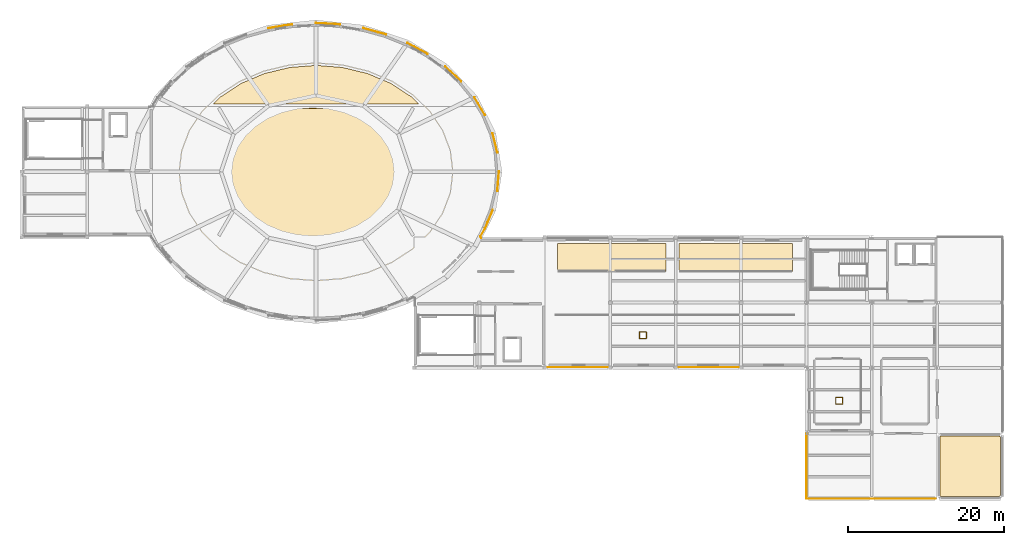
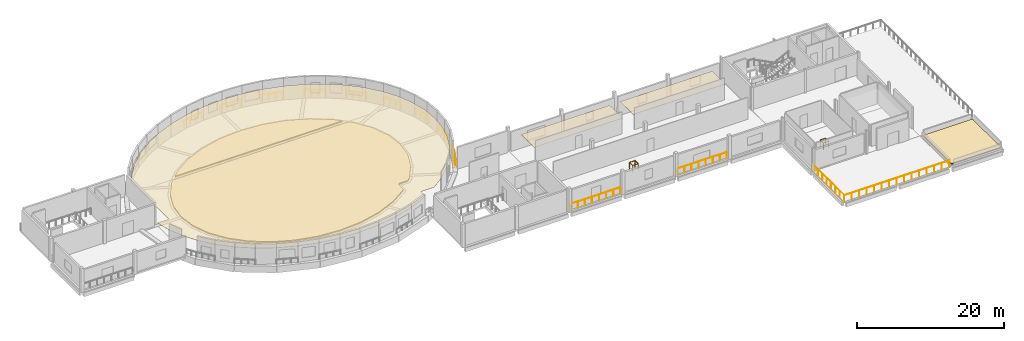
# One storey, part 14 of 16: 15 railings, 6 coverings.
"""IFC4 building model written with IfcOpenShell, lengths in metres."""

from ifc_helpers import new_model, si_unit, derived_unit, direction, frame, origin, origin_2d, place, context, subcontext, project, spatial, polyline, circle, outline, extrude, material, layer, layer_set, type_object, element, save


model = new_model("IFC4")

# Units and contexts
model_context = context("Model", 3, precision=1e-05, world=origin(), true_north=direction((0.0, 1.0)))
body_context = subcontext(model_context, "Body", "Model", "MODEL_VIEW")
ifc_project = project(units=[si_unit("LENGTHUNIT", "METRE"), si_unit("AREAUNIT", "SQUARE_METRE"), si_unit("VOLUMEUNIT", "CUBIC_METRE"), si_unit("PLANEANGLEUNIT", "RADIAN"), si_unit("MASSUNIT", "GRAM", prefix="KILO"), derived_unit("THERMALTRANSMITTANCEUNIT", [(si_unit("POWERUNIT", "WATT"), 1), (si_unit("LENGTHUNIT", "METRE"), -2), (si_unit("THERMODYNAMICTEMPERATUREUNIT", "KELVIN"), -1)])], contexts=[model_context])

# Site, building, storey
site_placement = place(None, origin())
site = spatial("IfcSite", under=ifc_project, at=site_placement, CompositionType="ELEMENT")
building_placement = place(site_placement, origin())
building = spatial("IfcBuilding", under=site, at=building_placement, Name="Elbkamm Science Centre", CompositionType="ELEMENT")
storey_placement = place(building_placement, frame((0.0, 0.0, 21.60009765625)))
storey = spatial("IfcBuildingStorey", under=building, at=storey_placement, Name="L05", CompositionType="ELEMENT", Elevation=21.60009765625)

# Coverings
ifc_material_1 = material(Name="Perforated acoustic mineral fibre ceiling tile")
ifc_layer_1 = layer(ifc_material_1, 0.0400390625)
ifc_layer_set_1 = layer_set([ifc_layer_1], Name="Perforated acoustic mineral fibre ceiling tile")
covering_type_1 = type_object("IfcCoveringType", Name="COV-CEIL-ACOUSTIC-40", PredefinedType="CEILING", material=ifc_layer_set_1)
covering_1_placement = place(storey_placement, frame((0.0, 0.0, 2.489990234375)))
element("IfcCovering", 1, at=covering_1_placement, inside=storey, type_object=covering_type_1, Name="L05 Astronomy Seminar Studio Acoustic Ceiling", PredefinedType="CEILING", context=body_context, shape_type="SweptSolid", body=[
    extrude(outline(polyline([(107.97998046875, 57.97998046875), (107.97998046875, 54.419921875), (94.02001953125, 54.419921875), (94.02001953125, 57.97998046875), (107.97998046875, 57.97998046875)])), origin(), (0.0, 0.0, 1.0), 0.039794921875),
])
ifc_material_2 = material(Name="Micro-perforated acoustic timber ceiling panel", Category="wood")
ifc_layer_2 = layer(ifc_material_2, 0.06005859375)
ifc_layer_set_2 = layer_set([ifc_layer_2], Name="Micro-perforated acoustic timber ceiling panel")
covering_type_2 = type_object("IfcCoveringType", Name="COV-CEIL-BAFFLE-60", PredefinedType="CEILING", material=ifc_layer_set_2)
covering_2_placement = place(storey_placement, frame((0.0, 0.0, 2.489990234375)))
element("IfcCovering", 2, at=covering_2_placement, inside=storey, type_object=covering_type_2, Name="L05 Sky Terrace Lounge Acoustic Ceiling", PredefinedType="CEILING", context=body_context, shape_type="SweptSolid", body=[
    extrude(outline(polyline([(124.179931640625, 57.97998046875), (124.179931640625, 54.419921875), (109.6201171875, 54.419921875), (109.6201171875, 57.97998046875), (124.179931640625, 57.97998046875)])), origin(), (0.0, 0.0, 1.0), 0.059814453125),
])
covering_3_placement = place(storey_placement, frame((0.0, 0.0, 2.489990234375)))
element("IfcCovering", 3, at=covering_3_placement, inside=storey, type_object=covering_type_2, Name="L05 Shell Ring Mezzanine Exhibition Gallery Acoustic Ceiling", PredefinedType="CEILING", context=body_context, shape_type="SweptSolid", body=[
    extrude(outline(polyline([(60.026123046875, 48.977294921875), (57.10302734375, 49.446533203125), (54.28125, 50.219482421875), (51.6083984375, 51.283203125), (49.130859375, 52.619384765625), (46.890625, 54.204833984375), (44.926025390625, 56.0126953125), (43.27099609375, 58.01171875), (41.953369140625, 60.167724609375), (40.995849609375, 62.444091796875), (40.469482421875, 64.580078125), (42.25, 64.580078125), (42.251953125, 64.580078125), (42.25390625, 64.580322265625), (42.255859375, 64.580810546875), (42.2578125, 64.58154296875), (42.259521484375, 64.58251953125), (42.260986328125, 64.58349609375), (42.2626953125, 64.58447265625), (42.26416015625, 64.5859375), (42.265380859375, 64.58740234375), (42.2666015625, 64.5888671875), (42.267578125, 64.590576171875), (42.2685546875, 64.59228515625), (42.26904296875, 64.59423828125), (42.26953125, 64.59619140625), (42.27001953125, 64.597900390625), (42.27001953125, 64.60009765625), (42.27001953125, 74.75048828125), (43.27099609375, 76.38818359375), (44.926025390625, 78.387451171875), (46.890625, 80.1953125), (49.130859375, 81.78076171875), (51.6083984375, 83.11669921875), (54.28125, 84.180419921875), (57.10302734375, 84.953369140625), (60.026123046875, 85.422607421875), (63.0, 85.580078125), (65.973876953125, 85.422607421875), (68.89697265625, 84.953369140625), (71.71875, 84.180419921875), (74.3916015625, 83.11669921875), (76.869140625, 81.78076171875), (79.109375, 80.1953125), (81.073974609375, 78.387451171875), (82.72900390625, 76.38818359375), (84.046630859375, 74.232421875), (85.004150390625, 71.9560546875), (85.585205078125, 69.598388671875), (85.77978515625, 67.199951171875), (85.585205078125, 64.801513671875), (85.004150390625, 62.444091796875), (84.046630859375, 60.167724609375), (82.72900390625, 58.01171875), (81.073974609375, 56.0126953125), (79.109375, 54.204833984375), (77.435302734375, 53.02001953125), (75.35009765625, 53.02001953125), (75.347900390625, 53.02001953125), (75.34619140625, 53.01953125), (75.34423828125, 53.01904296875), (75.34228515625, 53.0185546875), (75.340576171875, 53.017578125), (75.3388671875, 53.0166015625), (75.33740234375, 53.015380859375), (75.3359375, 53.01416015625), (75.33447265625, 53.0126953125), (75.33349609375, 53.010986328125), (75.33251953125, 53.009521484375), (75.33154296875, 53.0078125), (75.330810546875, 53.005859375), (75.330322265625, 53.00390625), (75.330078125, 53.001953125), (75.330078125, 53.0), (75.330078125, 51.789306640625), (74.3916015625, 51.283203125), (71.71875, 50.219482421875), (68.89697265625, 49.446533203125), (65.973876953125, 48.977294921875), (63.0, 48.820068359375), (60.026123046875, 48.977294921875)])), origin(), (0.0, 0.0, 1.0), 0.059814453125),
])
ifc_material_3 = material(Name="EPDM waterproof roofing membrane and mineral wool insulation")
ifc_layer_3 = layer(ifc_material_3, 0.179931640625)
ifc_layer_set_3 = layer_set([ifc_layer_3], Name="EPDM waterproof roofing membrane and mineral wool insulation")
covering_type_3 = type_object("IfcCoveringType", Name="COV-ROOFING-180", PredefinedType="ROOFING", material=ifc_layer_set_3)
covering_4_placement = place(storey_placement, origin())
element("IfcCovering", 4, at=covering_4_placement, inside=storey, type_object=covering_type_3, Name="L05 Insulated Roof Membrane Covering 17", PredefinedType="ROOFING", context=body_context, shape_type="SweptSolid", body=[
    extrude(outline(polyline([(75.2666015625, 57.632080078125), (75.26318359375, 57.61767578125), (75.258056640625, 57.603515625), (75.251708984375, 57.59033203125), (75.243896484375, 57.57763671875), (75.23486328125, 57.5654296875), (75.22509765625, 57.5546875), (75.2138671875, 57.544921875), (75.19580078125, 57.531982421875), (74.464599609375, 57.0546875), (72.638671875, 55.862548828125), (72.62158203125, 55.852294921875), (72.603759765625, 55.843994140625), (69.64794921875, 54.587158203125), (69.630615234375, 54.580810546875), (69.61328125, 54.57568359375), (66.8662109375, 53.912841796875), (66.39892578125, 53.800048828125), (66.381591796875, 53.796630859375), (66.36376953125, 53.79443359375), (63.017822265625, 53.532470703125), (63.0, 53.53173828125), (62.982177734375, 53.532470703125), (59.63623046875, 53.79443359375), (59.618408203125, 53.796630859375), (59.60107421875, 53.800048828125), (58.17041015625, 54.145263671875), (56.38671875, 54.57568359375), (56.369384765625, 54.580810546875), (56.35205078125, 54.587158203125), (53.396240234375, 55.843994140625), (53.37841796875, 55.852294921875), (53.361328125, 55.862548828125), (50.780029296875, 57.547607421875), (50.762451171875, 57.560302734375), (50.746337890625, 57.57470703125), (48.6376953125, 59.618408203125), (48.62158203125, 59.635498046875), (48.607666015625, 59.654296875), (48.141357421875, 60.34814453125), (47.048828125, 61.973876953125), (47.035888671875, 61.995849609375), (47.025390625, 62.01904296875), (46.526611328125, 63.326904296875), (46.070556640625, 64.523681640625), (46.062255859375, 64.549560546875), (46.057373046875, 64.575927734375), (45.896240234375, 65.877197265625), (45.735595703125, 67.17578125), (45.73388671875, 67.194091796875), (45.73388671875, 67.205810546875), (45.735595703125, 67.224365234375), (45.896484375, 68.5244140625), (46.057373046875, 69.823974609375), (46.062255859375, 69.850341796875), (46.070556640625, 69.876220703125), (47.025390625, 72.380859375), (47.035888671875, 72.404052734375), (47.048828125, 72.426025390625), (48.607666015625, 74.745849609375), (48.62158203125, 74.764404296875), (48.6376953125, 74.781494140625), (49.17236328125, 75.300048828125), (76.82763671875, 75.300048828125), (77.3623046875, 74.781494140625), (77.37841796875, 74.764404296875), (77.392333984375, 74.745849609375), (78.951171875, 72.426025390625), (78.964111328125, 72.404052734375), (78.974609375, 72.380859375), (79.481201171875, 71.052001953125), (79.929443359375, 69.876220703125), (79.937744140625, 69.850341796875), (79.942626953125, 69.823974609375), (80.264404296875, 67.224365234375), (80.26611328125, 67.205810546875), (80.26611328125, 67.194091796875), (80.264404296875, 67.17578125), (79.942626953125, 64.575927734375), (79.937744140625, 64.549560546875), (79.929443359375, 64.523681640625), (79.285888671875, 62.835693359375), (78.974609375, 62.01904296875), (78.964111328125, 61.995849609375), (78.951171875, 61.973876953125), (77.619384765625, 59.9921875), (77.392333984375, 59.654296875), (77.37841796875, 59.635498046875), (77.362548828125, 59.618408203125), (76.9072265625, 59.177490234375), (76.890869140625, 59.1630859375), (76.87939453125, 59.154541015625), (76.866943359375, 59.147216796875), (76.85400390625, 59.141357421875), (76.84033203125, 59.136474609375), (76.826416015625, 59.133056640625), (76.812255859375, 59.131103515625), (76.790283203125, 59.1298828125), (75.60009765625, 59.1298828125), (75.589599609375, 59.1298828125), (75.5869140625, 59.129638671875), (75.5478515625, 59.125732421875), (75.544921875, 59.125244140625), (75.521240234375, 59.120361328125), (75.5185546875, 59.11962890625), (75.490478515625, 59.111083984375), (75.487548828125, 59.110107421875), (75.462890625, 59.10009765625), (75.460205078125, 59.098876953125), (75.4287109375, 59.08203125), (75.426025390625, 59.080322265625), (75.405029296875, 59.066162109375), (75.402587890625, 59.064453125), (75.379150390625, 59.045166015625), (75.376953125, 59.043212890625), (75.356689453125, 59.02294921875), (75.354736328125, 59.020751953125), (75.33544921875, 58.997314453125), (75.333740234375, 58.9951171875), (75.319580078125, 58.973876953125), (75.318115234375, 58.97119140625), (75.301025390625, 58.939697265625), (75.2998046875, 58.937255859375), (75.289794921875, 58.912353515625), (75.288818359375, 58.90966796875), (75.2802734375, 58.881591796875), (75.279541015625, 58.878662109375), (75.274658203125, 58.855224609375), (75.274169921875, 58.852294921875), (75.270263671875, 58.813232421875), (75.270263671875, 58.810302734375), (75.27001953125, 58.800048828125), (75.27001953125, 57.6689453125), (75.268798828125, 57.646484375), (75.2666015625, 57.632080078125)])), origin(), (0.0, 0.0, 1.0), 0.179931640625),
])
covering_5_placement = place(storey_placement, origin())
element("IfcCovering", 5, at=covering_5_placement, inside=storey, type_object=covering_type_3, Name="L05 Insulated Roof Membrane Covering 18", PredefinedType="ROOFING", context=body_context, shape_type="SweptSolid", body=[
    extrude(outline(polyline([(50.746337890625, 76.825439453125), (50.762451171875, 76.839599609375), (50.780029296875, 76.852294921875), (53.361328125, 78.53759765625), (53.37841796875, 78.547607421875), (53.396240234375, 78.55615234375), (56.35205078125, 79.812744140625), (56.369384765625, 79.8193359375), (56.38671875, 79.82421875), (58.389892578125, 80.3076171875), (59.60107421875, 80.599853515625), (59.618408203125, 80.603515625), (59.63623046875, 80.60546875), (62.982177734375, 80.86767578125), (63.0, 80.868408203125), (63.017822265625, 80.86767578125), (66.36376953125, 80.60546875), (66.381591796875, 80.603515625), (66.39892578125, 80.599853515625), (67.768798828125, 80.269287109375), (69.61328125, 79.82421875), (69.630615234375, 79.8193359375), (69.64794921875, 79.812744140625), (71.198486328125, 79.153564453125), (72.603759765625, 78.55615234375), (72.62158203125, 78.547607421875), (72.638671875, 78.53759765625), (75.219970703125, 76.852294921875), (75.237548828125, 76.839599609375), (75.253662109375, 76.825439453125), (76.20849609375, 75.89990234375), (49.79150390625, 75.89990234375), (50.746337890625, 76.825439453125)])), origin(), (0.0, 0.0, 1.0), 0.179931640625),
])
covering_6_placement = place(storey_placement, origin())
element("IfcCovering", 6, at=covering_6_placement, inside=storey, type_object=covering_type_3, Name="L05 Insulated Roof Membrane Covering 19", PredefinedType="ROOFING", context=body_context, shape_type="SweptSolid", body=[
    extrude(outline(polyline([(143.250732421875, 25.503173828125), (143.23681640625, 25.506591796875), (143.22265625, 25.511962890625), (143.209228515625, 25.51806640625), (143.19677734375, 25.525634765625), (143.18505859375, 25.5341796875), (143.17431640625, 25.544189453125), (143.164306640625, 25.55517578125), (143.155517578125, 25.56689453125), (143.148193359375, 25.579345703125), (143.141845703125, 25.592529296875), (143.13671875, 25.60693359375), (143.13330078125, 25.620849609375), (143.131103515625, 25.63525390625), (143.1298828125, 25.657470703125), (143.1298828125, 33.112548828125), (143.131103515625, 33.134765625), (143.13330078125, 33.149169921875), (143.13671875, 33.1630859375), (143.141845703125, 33.177490234375), (143.148193359375, 33.190673828125), (143.155517578125, 33.203125), (143.164306640625, 33.21484375), (143.17431640625, 33.225830078125), (143.18505859375, 33.23583984375), (143.19677734375, 33.244384765625), (143.209228515625, 33.251953125), (143.22265625, 33.258056640625), (143.23681640625, 33.26318359375), (143.250732421875, 33.266845703125), (143.26513671875, 33.268798828125), (143.28759765625, 33.27001953125), (150.742431640625, 33.27001953125), (150.764892578125, 33.268798828125), (150.779296875, 33.266845703125), (150.793212890625, 33.26318359375), (150.807373046875, 33.258056640625), (150.82080078125, 33.251953125), (150.833251953125, 33.244384765625), (150.844970703125, 33.23583984375), (150.855712890625, 33.225830078125), (150.86572265625, 33.21484375), (150.87451171875, 33.203125), (150.8818359375, 33.190673828125), (150.88818359375, 33.177490234375), (150.893310546875, 33.1630859375), (150.896728515625, 33.149169921875), (150.89892578125, 33.134765625), (150.89990234375, 33.112548828125), (150.89990234375, 25.657470703125), (150.89892578125, 25.63525390625), (150.896728515625, 25.620849609375), (150.893310546875, 25.60693359375), (150.88818359375, 25.592529296875), (150.8818359375, 25.579345703125), (150.87451171875, 25.56689453125), (150.86572265625, 25.55517578125), (150.855712890625, 25.544189453125), (150.844970703125, 25.5341796875), (150.833251953125, 25.525634765625), (150.82080078125, 25.51806640625), (150.807373046875, 25.511962890625), (150.793212890625, 25.506591796875), (150.779296875, 25.503173828125), (150.764892578125, 25.501220703125), (150.742431640625, 25.5), (143.28759765625, 25.5), (143.26513671875, 25.501220703125), (143.250732421875, 25.503173828125)])), origin(), (0.0, 0.0, 1.0), 0.179931640625),
])

# Railings
ifc_material_4 = material(Name="Stainless steel EN 1.4401", Category="steel")
railing_type_1 = type_object("IfcRailingType", Name="RAIL-EXT-GUARD-1100", PredefinedType="GUARDRAIL", material=ifc_material_4)
railing_1_placement = place(storey_placement, frame((126.02490234375, 25.199951171875, 0.0)))
element("IfcRailing", 7, at=railing_1_placement, inside=storey, type_object=railing_type_1, Name="L05 Outdoor Terrace Perimeter Guard 009", PredefinedType="GUARDRAIL", context=body_context, shape_type="SweptSolid", body=[
    extrude(circle(Radius=0.02392578125, at=origin_2d()), frame((0.0, 0.0, 1.078125), z_axis=(0.0, 1.0, 0.0), x_axis=(-1.0, 0.0, 0.0)), (0.0, 0.0, 1.0), 8.320068359375),
    extrude(circle(Radius=0.02001953125, at=origin_2d()), origin(), (0.0, 0.0, 1.0), 1.048095703125),
    extrude(circle(Radius=0.02001953125, at=origin_2d()), frame((0.0, 1.1884765625, 0.0)), (0.0, 0.0, 1.0), 1.048095703125),
    extrude(circle(Radius=0.02001953125, at=origin_2d()), frame((0.0, 2.377197265625, 0.0)), (0.0, 0.0, 1.0), 1.048095703125),
    extrude(circle(Radius=0.02001953125, at=origin_2d()), frame((0.0, 3.565673828125, 0.0)), (0.0, 0.0, 1.0), 1.048095703125),
    extrude(circle(Radius=0.02001953125, at=origin_2d()), frame((0.0, 4.75439453125, 0.0)), (0.0, 0.0, 1.0), 1.048095703125),
    extrude(circle(Radius=0.02001953125, at=origin_2d()), frame((0.0, 5.94287109375, 0.0)), (0.0, 0.0, 1.0), 1.048095703125),
    extrude(circle(Radius=0.02001953125, at=origin_2d()), frame((0.0, 7.131591796875, 0.0)), (0.0, 0.0, 1.0), 1.048095703125),
    extrude(circle(Radius=0.02001953125, at=origin_2d()), frame((0.0, 8.320068359375, 0.0)), (0.0, 0.0, 1.0), 1.048095703125),
])
railing_2_placement = place(storey_placement, frame((142.5830078125, 25.199951171875, 0.0)))
element("IfcRailing", 8, at=railing_2_placement, inside=storey, type_object=railing_type_1, Name="L05 Outdoor Terrace Perimeter Guard 010", PredefinedType="GUARDRAIL", context=body_context, shape_type="SweptSolid", body=[
    extrude(circle(Radius=0.02392578125, at=origin_2d()), frame((0.0, 0.0, 1.078125), z_axis=(-1.0, 0.0, 0.0), x_axis=(0.0, -1.0, 0.0)), (0.0, 0.0, 1.0), 16.55810546875),
    extrude(circle(Radius=0.02001953125, at=origin_2d()), origin(), (0.0, 0.0, 1.0), 1.048095703125),
    extrude(circle(Radius=0.02001953125, at=origin_2d()), frame((-1.1826171875, 0.0, 0.0)), (0.0, 0.0, 1.0), 1.048095703125),
    extrude(circle(Radius=0.02001953125, at=origin_2d()), frame((-2.365478515625, 0.0, 0.0)), (0.0, 0.0, 1.0), 1.048095703125),
    extrude(circle(Radius=0.02001953125, at=origin_2d()), frame((-3.548095703125, 0.0, 0.0)), (0.0, 0.0, 1.0), 1.048095703125),
    extrude(circle(Radius=0.02001953125, at=origin_2d()), frame((-4.73095703125, 0.0, 0.0)), (0.0, 0.0, 1.0), 1.048095703125),
    extrude(circle(Radius=0.02001953125, at=origin_2d()), frame((-5.91357421875, 0.0, 0.0)), (0.0, 0.0, 1.0), 1.048095703125),
    extrude(circle(Radius=0.02001953125, at=origin_2d()), frame((-7.096435546875, 0.0, 0.0)), (0.0, 0.0, 1.0), 1.048095703125),
    extrude(circle(Radius=0.02001953125, at=origin_2d()), frame((-8.279052734375, 0.0, 0.0)), (0.0, 0.0, 1.0), 1.048095703125),
    extrude(circle(Radius=0.02001953125, at=origin_2d()), frame((-9.461669921875, 0.0, 0.0)), (0.0, 0.0, 1.0), 1.048095703125),
    extrude(circle(Radius=0.02001953125, at=origin_2d()), frame((-10.64453125, 0.0, 0.0)), (0.0, 0.0, 1.0), 1.048095703125),
    extrude(circle(Radius=0.02001953125, at=origin_2d()), frame((-11.8271484375, 0.0, 0.0)), (0.0, 0.0, 1.0), 1.048095703125),
    extrude(circle(Radius=0.02001953125, at=origin_2d()), frame((-13.010009765625, 0.0, 0.0)), (0.0, 0.0, 1.0), 1.048095703125),
    extrude(circle(Radius=0.02001953125, at=origin_2d()), frame((-14.192626953125, 0.0, 0.0)), (0.0, 0.0, 1.0), 1.048095703125),
    extrude(circle(Radius=0.02001953125, at=origin_2d()), frame((-15.37548828125, 0.0, 0.0)), (0.0, 0.0, 1.0), 1.048095703125),
    extrude(circle(Radius=0.02001953125, at=origin_2d()), frame((-16.55810546875, 0.0, 0.0)), (0.0, 0.0, 1.0), 1.048095703125),
])
railing_3_placement = place(storey_placement, frame((56.898681640625, 85.643798828125, 0.0)))
element("IfcRailing", 9, at=railing_3_placement, inside=storey, type_object=railing_type_1, Name="L05 Slab Edge Perimeter Guard 116", PredefinedType="GUARDRAIL", context=body_context, shape_type="SweptSolid", body=[
    extrude(circle(Radius=0.02392578125, at=origin_2d()), frame((0.0, 0.0, 1.078125), z_axis=(0.987150705453, 0.159792004569, 0.0), x_axis=(-0.159792004569, 0.987150705453, 0.0)), (0.0, 0.0, 1.0), 3.086181640625),
    extrude(circle(Radius=0.02001953125, at=origin_2d()), origin(), (0.0, 0.0, 1.0), 1.048095703125),
    extrude(circle(Radius=0.02001953125, at=origin_2d()), frame((1.015625, 0.164306640625, 0.0)), (0.0, 0.0, 1.0), 1.048095703125),
    extrude(circle(Radius=0.02001953125, at=origin_2d()), frame((2.031005859375, 0.328857421875, 0.0)), (0.0, 0.0, 1.0), 1.048095703125),
    extrude(circle(Radius=0.02001953125, at=origin_2d()), frame((3.046630859375, 0.4931640625, 0.0)), (0.0, 0.0, 1.0), 1.048095703125),
])
railing_4_placement = place(storey_placement, frame((62.985107421875, 86.299072265625, 0.0)))
element("IfcRailing", 10, at=railing_4_placement, inside=storey, type_object=railing_type_1, Name="L05 Slab Edge Perimeter Guard 117", PredefinedType="GUARDRAIL", context=body_context, shape_type="SweptSolid", body=[
    extrude(circle(Radius=0.02392578125, at=origin_2d()), frame((0.0, 0.0, 1.078125), z_axis=(0.998581083549, -0.053252413829, 0.0), x_axis=(0.053252413829, 0.998581083549, 0.0)), (0.0, 0.0, 1.0), 3.103759765625),
    extrude(circle(Radius=0.02001953125, at=origin_2d()), origin(), (0.0, 0.0, 1.0), 1.048095703125),
    extrude(circle(Radius=0.02001953125, at=origin_2d()), frame((1.033203125, -0.05517578125, 0.0)), (0.0, 0.0, 1.0), 1.048095703125),
    extrude(circle(Radius=0.02001953125, at=origin_2d()), frame((2.066162109375, -0.110107421875, 0.0)), (0.0, 0.0, 1.0), 1.048095703125),
    extrude(circle(Radius=0.02001953125, at=origin_2d()), frame((3.099365234375, -0.165283203125, 0.0)), (0.0, 0.0, 1.0), 1.048095703125),
])
railing_5_placement = place(storey_placement, frame((69.071533203125, 85.650390625, 0.0)))
element("IfcRailing", 11, at=railing_5_placement, inside=storey, type_object=railing_type_1, Name="L05 Slab Edge Perimeter Guard 118", PredefinedType="GUARDRAIL", context=body_context, shape_type="SweptSolid", body=[
    extrude(circle(Radius=0.02392578125, at=origin_2d()), frame((0.0, 0.0, 1.078125), z_axis=(0.963924713872, -0.266175028856, 0.0), x_axis=(0.266175028856, 0.963924713872, 0.0)), (0.0, 0.0, 1.0), 3.052490234375),
    extrude(circle(Radius=0.02001953125, at=origin_2d()), origin(), (0.0, 0.0, 1.0), 1.048095703125),
    extrude(circle(Radius=0.02001953125, at=origin_2d()), frame((0.980712890625, -0.270751953125, 0.0)), (0.0, 0.0, 1.0), 1.048095703125),
    extrude(circle(Radius=0.02001953125, at=origin_2d()), frame((1.961669921875, -0.541748046875, 0.0)), (0.0, 0.0, 1.0), 1.048095703125),
    extrude(circle(Radius=0.02001953125, at=origin_2d()), frame((2.9423828125, -0.8125, 0.0)), (0.0, 0.0, 1.0), 1.048095703125),
])
railing_6_placement = place(storey_placement, frame((74.7421875, 83.7431640625, 0.0)))
element("IfcRailing", 12, at=railing_6_placement, inside=storey, type_object=railing_type_1, Name="L05 Slab Edge Perimeter Guard 119", PredefinedType="GUARDRAIL", context=body_context, shape_type="SweptSolid", body=[
    extrude(circle(Radius=0.02392578125, at=origin_2d()), frame((0.0, 0.0, 1.078125), z_axis=(0.878535209689, -0.477677595599, 0.0), x_axis=(0.477677595599, 0.878535209689, 0.0)), (0.0, 0.0, 1.0), 2.94287109375),
    extrude(circle(Radius=0.02001953125, at=origin_2d()), origin(), (0.0, 0.0, 1.0), 1.048095703125),
    extrude(circle(Radius=0.02001953125, at=origin_2d()), frame((0.86181640625, -0.468505859375, 0.0)), (0.0, 0.0, 1.0), 1.048095703125),
    extrude(circle(Radius=0.02001953125, at=origin_2d()), frame((1.7236328125, -0.937255859375, 0.0)), (0.0, 0.0, 1.0), 1.048095703125),
    extrude(circle(Radius=0.02001953125, at=origin_2d()), frame((2.58544921875, -1.40576171875, 0.0)), (0.0, 0.0, 1.0), 1.048095703125),
])
railing_7_placement = place(storey_placement, frame((79.60986328125, 80.709228515625, 0.0)))
element("IfcRailing", 13, at=railing_7_placement, inside=storey, type_object=railing_type_1, Name="L05 Slab Edge Perimeter Guard 120", PredefinedType="GUARDRAIL", context=body_context, shape_type="SweptSolid", body=[
    extrude(circle(Radius=0.02392578125, at=origin_2d()), frame((0.0, 0.0, 1.078125), z_axis=(0.732992225606, -0.680237015459, 0.0), x_axis=(0.680237015459, 0.732992225606, 0.0)), (0.0, 0.0, 1.0), 2.7998046875),
    extrude(circle(Radius=0.02001953125, at=origin_2d()), origin(), (0.0, 0.0, 1.0), 1.048095703125),
    extrude(circle(Radius=0.02001953125, at=origin_2d()), frame((0.68408203125, -0.634765625, 0.0)), (0.0, 0.0, 1.0), 1.048095703125),
    extrude(circle(Radius=0.02001953125, at=origin_2d()), frame((1.3681640625, -1.269775390625, 0.0)), (0.0, 0.0, 1.0), 1.048095703125),
    extrude(circle(Radius=0.02001953125, at=origin_2d()), frame((2.05224609375, -1.904541015625, 0.0)), (0.0, 0.0, 1.0), 1.048095703125),
])
railing_8_placement = place(storey_placement, frame((83.34375, 76.757568359375, 0.0)))
element("IfcRailing", 14, at=railing_8_placement, inside=storey, type_object=railing_type_1, Name="L05 Slab Edge Perimeter Guard 121", PredefinedType="GUARDRAIL", context=body_context, shape_type="SweptSolid", body=[
    extrude(circle(Radius=0.02392578125, at=origin_2d()), frame((0.0, 0.0, 1.078125), z_axis=(0.518283409224, -0.855208926359, 0.0), x_axis=(0.855208926359, 0.518283409224, 0.0)), (0.0, 0.0, 1.0), 2.66015625),
    extrude(circle(Radius=0.02001953125, at=origin_2d()), origin(), (0.0, 0.0, 1.0), 1.048095703125),
    extrude(circle(Radius=0.02001953125, at=origin_2d()), frame((0.45947265625, -0.75830078125, 0.0)), (0.0, 0.0, 1.0), 1.048095703125),
    extrude(circle(Radius=0.02001953125, at=origin_2d()), frame((0.919189453125, -1.5166015625, 0.0)), (0.0, 0.0, 1.0), 1.048095703125),
    extrude(circle(Radius=0.02001953125, at=origin_2d()), frame((1.378662109375, -2.27490234375, 0.0)), (0.0, 0.0, 1.0), 1.048095703125),
])
railing_9_placement = place(storey_placement, frame((85.692138671875, 72.158203125, 0.0)))
element("IfcRailing", 15, at=railing_9_placement, inside=storey, type_object=railing_type_1, Name="L05 Slab Edge Perimeter Guard 122", PredefinedType="GUARDRAIL", context=body_context, shape_type="SweptSolid", body=[
    extrude(circle(Radius=0.02392578125, at=origin_2d()), frame((0.0, 0.0, 1.078125), z_axis=(0.237401172285, -0.97141169614, 0.0), x_axis=(0.97141169614, 0.237401172285, 0.0)), (0.0, 0.0, 1.0), 2.563720703125),
    extrude(circle(Radius=0.02001953125, at=origin_2d()), origin(), (0.0, 0.0, 1.0), 1.048095703125),
    extrude(circle(Radius=0.02001953125, at=origin_2d()), frame((0.202880859375, -0.830078125, 0.0)), (0.0, 0.0, 1.0), 1.048095703125),
    extrude(circle(Radius=0.02001953125, at=origin_2d()), frame((0.40576171875, -1.660400390625, 0.0)), (0.0, 0.0, 1.0), 1.048095703125),
    extrude(circle(Radius=0.02001953125, at=origin_2d()), frame((0.608642578125, -2.490478515625, 0.0)), (0.0, 0.0, 1.0), 1.048095703125),
])
railing_10_placement = place(storey_placement, frame((86.497802734375, 67.222412109375, 0.0)))
element("IfcRailing", 16, at=railing_10_placement, inside=storey, type_object=railing_type_1, Name="L05 Slab Edge Perimeter Guard 123", PredefinedType="GUARDRAIL", context=body_context, shape_type="SweptSolid", body=[
    extrude(circle(Radius=0.02392578125, at=origin_2d()), frame((0.0, 0.0, 1.078125), z_axis=(-0.080279548806, -0.996772388283, 0.0), x_axis=(0.996772388283, -0.080279548806, 0.0)), (0.0, 0.0, 1.0), 2.54248046875),
    extrude(circle(Radius=0.02001953125, at=origin_2d()), origin(), (0.0, 0.0, 1.0), 1.048095703125),
    extrude(circle(Radius=0.02001953125, at=origin_2d()), frame((-0.068115234375, -0.8447265625, 0.0)), (0.0, 0.0, 1.0), 1.048095703125),
    extrude(circle(Radius=0.02001953125, at=origin_2d()), frame((-0.135986328125, -1.689453125, 0.0)), (0.0, 0.0, 1.0), 1.048095703125),
    extrude(circle(Radius=0.02001953125, at=origin_2d()), frame((-0.2041015625, -2.5341796875, 0.0)), (0.0, 0.0, 1.0), 1.048095703125),
])
railing_11_placement = place(storey_placement, frame((85.705810546875, 62.283203125, 0.0)))
element("IfcRailing", 17, at=railing_11_placement, inside=storey, type_object=railing_type_1, Name="L05 Slab Edge Perimeter Guard 124", PredefinedType="GUARDRAIL", context=body_context, shape_type="SweptSolid", body=[
    extrude(circle(Radius=0.02392578125, at=origin_2d()), frame((0.0, 0.0, 1.078125), z_axis=(-0.383903920902, -0.923373044612, 0.0), x_axis=(0.923373044612, -0.383903920902, 0.0)), (0.0, 0.0, 1.0), 2.55322265625),
    extrude(circle(Radius=0.02392578125, at=origin_2d()), frame((-1.00732421875, -2.410888671875, 1.078125), z_axis=(-0.518292323857, -0.855203523748, 0.0), x_axis=(0.855203523748, -0.518292323857, 0.0)), (0.0, 0.0, 1.0), 1.09228515625),
    extrude(circle(Radius=0.02392578125, at=origin_2d()), frame((-1.576171875, -3.397705078125, 1.078125), z_axis=(0.426746873218, -0.904371110882, 0.0), x_axis=(0.904371110882, 0.426746873218, 0.0)), (0.0, 0.0, 1.0), 0.205078125),
    extrude(circle(Radius=0.02001953125, at=origin_2d()), origin(), (0.0, 0.0, 1.0), 1.048095703125),
    extrude(circle(Radius=0.02001953125, at=origin_2d()), frame((-0.33056640625, -0.795166015625, 0.0)), (0.0, 0.0, 1.0), 1.048095703125),
    extrude(circle(Radius=0.02001953125, at=origin_2d()), frame((-0.6611328125, -1.590087890625, 0.0)), (0.0, 0.0, 1.0), 1.048095703125),
    extrude(circle(Radius=0.02001953125, at=origin_2d()), frame((-0.99169921875, -2.38525390625, 0.0)), (0.0, 0.0, 1.0), 1.048095703125),
    extrude(circle(Radius=0.02001953125, at=origin_2d()), frame((-1.5888671875, -3.37060546875, 0.0)), (0.0, 0.0, 1.0), 1.048095703125),
    extrude(circle(Radius=0.02001953125, at=origin_2d()), frame((-1.488525390625, -3.583251953125, 0.0)), (0.0, 0.0, 1.0), 1.048095703125),
])
for number, where, name in (
    (18, (117.320068359375, 42.10009765625, 0.0), "L05 Slab Edge Perimeter Guard 128"),
    (19, (100.52001953125, 42.10009765625, 0.0), "L05 Slab Edge Perimeter Guard 129"),
):
    element("IfcRailing", number, at=place(storey_placement, frame(where)), inside=storey, type_object=railing_type_1, Name=name, PredefinedType="GUARDRAIL", context=body_context, shape_type="SweptSolid", body=[
        extrude(circle(Radius=0.02392578125, at=origin_2d()), frame((0.0, 0.0, 1.078125), z_axis=(-1.0, 0.0, 0.0), x_axis=(0.0, -1.0, 0.0)), (0.0, 0.0, 1.0), 7.840087890625),
        extrude(circle(Radius=0.02001953125, at=origin_2d()), origin(), (0.0, 0.0, 1.0), 1.048095703125),
        extrude(circle(Radius=0.02001953125, at=origin_2d()), frame((-1.1201171875, 0.0, 0.0)), (0.0, 0.0, 1.0), 1.048095703125),
        extrude(circle(Radius=0.02001953125, at=origin_2d()), frame((-2.239990234375, 0.0, 0.0)), (0.0, 0.0, 1.0), 1.048095703125),
        extrude(circle(Radius=0.02001953125, at=origin_2d()), frame((-3.360107421875, 0.0, 0.0)), (0.0, 0.0, 1.0), 1.048095703125),
        extrude(circle(Radius=0.02001953125, at=origin_2d()), frame((-4.47998046875, 0.0, 0.0)), (0.0, 0.0, 1.0), 1.048095703125),
        extrude(circle(Radius=0.02001953125, at=origin_2d()), frame((-5.60009765625, 0.0, 0.0)), (0.0, 0.0, 1.0), 1.048095703125),
        extrude(circle(Radius=0.02001953125, at=origin_2d()), frame((-6.719970703125, 0.0, 0.0)), (0.0, 0.0, 1.0), 1.048095703125),
        extrude(circle(Radius=0.02001953125, at=origin_2d()), frame((-7.840087890625, 0.0, 0.0)), (0.0, 0.0, 1.0), 1.048095703125),
    ])
railing_type_2 = type_object("IfcRailingType", Name="RAIL-GUARD-1100", PredefinedType="GUARDRAIL", material=ifc_material_4)
for number, where, name in (
    (20, (104.570068359375, 45.77001953125, 0.0), "L05 Service Riser Opening Guardrail 028"),
    (21, (129.77001953125, 37.3701171875, 0.0), "L05 Service Riser Opening Guardrail 029"),
):
    element("IfcRailing", number, at=place(storey_placement, frame(where)), inside=storey, type_object=railing_type_2, Name=name, PredefinedType="GUARDRAIL", context=body_context, shape_type="SweptSolid", body=[
        extrude(circle(Radius=0.02392578125, at=origin_2d()), frame((0.0, 0.0, 1.078125), z_axis=(1.0, 0.0, 0.0), x_axis=(0.0, 1.0, 0.0)), (0.0, 0.0, 1.0), 0.829833984375),
        extrude(circle(Radius=0.02392578125, at=origin_2d()), frame((0.85986328125, 0.030029296875, 1.078125), z_axis=(0.0, 1.0, 0.0), x_axis=(-1.0, 0.0, 0.0)), (0.0, 0.0, 1.0), 0.7998046875),
        extrude(circle(Radius=0.02392578125, at=origin_2d()), frame((0.829833984375, 0.85986328125, 1.078125), z_axis=(-1.0, 0.0, 0.0), x_axis=(0.0, -1.0, 0.0)), (0.0, 0.0, 1.0), 0.7998046875),
        extrude(circle(Radius=0.02392578125, at=origin_2d()), frame((0.0, 0.829833984375, 1.078125), z_axis=(0.0, -1.0, 0.0), x_axis=(1.0, 0.0, 0.0)), (0.0, 0.0, 1.0), 0.829833984375),
        extrude(circle(Radius=0.02001953125, at=origin_2d()), origin(), (0.0, 0.0, 1.0), 1.048095703125),
        extrude(circle(Radius=0.02001953125, at=origin_2d()), frame((0.85986328125, 0.0, 0.0)), (0.0, 0.0, 1.0), 1.048095703125),
        extrude(circle(Radius=0.02001953125, at=origin_2d()), frame((0.85986328125, 0.85986328125, 0.0)), (0.0, 0.0, 1.0), 1.048095703125),
        extrude(circle(Radius=0.02001953125, at=origin_2d()), frame((0.0, 0.85986328125, 0.0)), (0.0, 0.0, 1.0), 1.048095703125),
    ])

save(model, "model.ifc")
